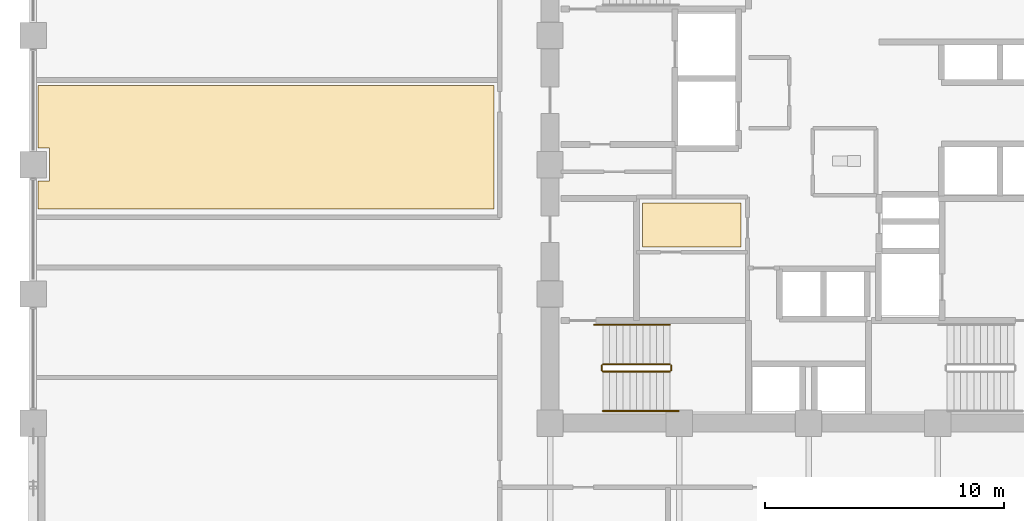
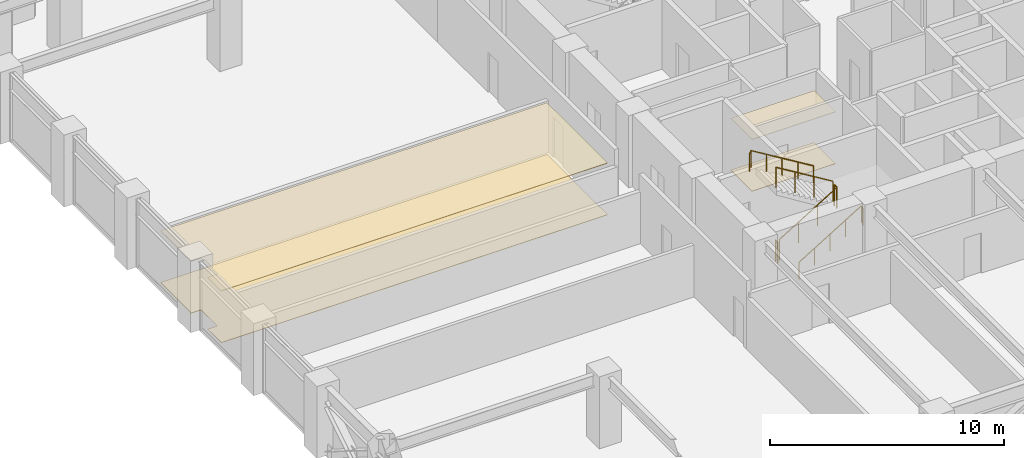
# One storey, part 23 of 25: 6 railings, 4 coverings.
"""IFC4 building model written with IfcOpenShell, lengths in metres."""

from ifc_helpers import new_model, si_unit, direction, frame, origin, origin_2d, place, context, subcontext, project, spatial, polyline, circle, outline, extrude, material, layer, layer_set, type_object, element, save


model = new_model("IFC4")

# Units and contexts
model_context = context("Model", 3, precision=1e-05, world=origin(), true_north=direction((0.0, 1.0)))
body_context = subcontext(model_context, "Body", "Model", "MODEL_VIEW")
ifc_project = project(units=[si_unit("LENGTHUNIT", "METRE"), si_unit("AREAUNIT", "SQUARE_METRE"), si_unit("VOLUMEUNIT", "CUBIC_METRE"), si_unit("PLANEANGLEUNIT", "RADIAN"), si_unit("MASSUNIT", "GRAM", prefix="KILO")], contexts=[model_context])

# Site, building, storey
site_placement = place(None, origin())
site = spatial("IfcSite", under=ifc_project, at=site_placement, CompositionType="ELEMENT")
building_placement = place(site_placement, origin())
building = spatial("IfcBuilding", under=site, at=building_placement, Name="Surkhivell Harbour Commons", CompositionType="ELEMENT")
storey_placement = place(building_placement, frame((0.0, 0.0, 117.0)))
storey = spatial("IfcBuildingStorey", under=building, at=storey_placement, Name="L30", CompositionType="ELEMENT", Elevation=117.0)

# Coverings
ifc_material_1 = material(Name="Perforated acoustic mineral-fibre ceiling tile", Category="other")
ifc_layer_1 = layer(ifc_material_1, 0.02490234375)
ifc_layer_set_1 = layer_set([ifc_layer_1], Name="Perforated acoustic mineral-fibre ceiling tile")
covering_type_1 = type_object("IfcCoveringType", Name="COV-CEIL-AC", PredefinedType="CEILING", material=ifc_layer_set_1)
covering_1_placement = place(storey_placement, frame((0.0, 0.0, 2.694091796875)))
element("IfcCovering", 1, at=covering_1_placement, inside=storey, type_object=covering_type_1, Name="L30 Suspended Acoustic Ceiling 1", PredefinedType="CEILING", context=body_context, shape_type="SweptSolid", body=[
    extrude(outline(polyline([(-6.929931640625, -3.429931640625), (-2.820068359375, -3.429931640625), (-2.820068359375, -1.60009765625), (-6.929931640625, -1.60009765625), (-6.929931640625, -3.429931640625)])), origin(), (0.0, 0.0, 1.0), 0.02490234375),
])
ifc_material_2 = material(Name="Moisture-resistant gypsum acoustic ceiling board", Category="other")
ifc_layer_2 = layer(ifc_material_2, 0.030029296875)
ifc_layer_set_2 = layer_set([ifc_layer_2], Name="Moisture-resistant gypsum acoustic ceiling board")
covering_type_2 = type_object("IfcCoveringType", Name="COV-CEIL-GYP", PredefinedType="CEILING", material=ifc_layer_set_2)
covering_2_placement = place(storey_placement, frame((0.0, 0.0, 2.68896484375)))
element("IfcCovering", 2, at=covering_2_placement, inside=storey, type_object=covering_type_2, Name="L30 Suspended Acoustic Ceiling 2", PredefinedType="CEILING", context=body_context, shape_type="SweptSolid", body=[
    extrude(outline(polyline([(-13.139892578125, -1.860107421875), (-13.139892578125, 3.320068359375), (-32.18994140625, 3.320068359375), (-32.18994140625, 0.68994140625), (-31.7099609375, 0.68994140625), (-31.7099609375, -0.68994140625), (-32.18994140625, -0.68994140625), (-32.18994140625, -1.860107421875), (-13.139892578125, -1.860107421875)])), origin(), (0.0, 0.0, 1.0), 0.030029296875),
])
ifc_material_3 = material(Name="Engineered acoustic oak timber flooring", Category="wood")
ifc_layer_3 = layer(ifc_material_3, 0.02001953125)
ifc_layer_set_3 = layer_set([ifc_layer_3], Name="Engineered acoustic oak timber flooring")
covering_type_3 = type_object("IfcCoveringType", Name="COV-FLR-TIM", PredefinedType="FLOORING", material=ifc_layer_set_3)
covering_3_placement = place(storey_placement, origin())
element("IfcCovering", 3, at=covering_3_placement, inside=storey, type_object=covering_type_3, Name="L30 Interior Floor Finish 1", PredefinedType="FLOORING", context=body_context, shape_type="SweptSolid", body=[
    extrude(outline(polyline([(-6.929931640625, -3.429931640625), (-2.820068359375, -3.429931640625), (-2.820068359375, -1.60009765625), (-6.929931640625, -1.60009765625), (-6.929931640625, -3.429931640625)])), origin(), (0.0, 0.0, 1.0), 0.02001953125),
])
covering_4_placement = place(storey_placement, origin())
element("IfcCovering", 4, at=covering_4_placement, inside=storey, type_object=covering_type_3, Name="L30 Interior Floor Finish 2", PredefinedType="FLOORING", context=body_context, shape_type="SweptSolid", body=[
    extrude(outline(polyline([(-13.139892578125, -1.860107421875), (-13.139892578125, 3.320068359375), (-32.18994140625, 3.320068359375), (-32.18994140625, 0.68994140625), (-31.7099609375, 0.68994140625), (-31.7099609375, -0.68994140625), (-32.18994140625, -0.68994140625), (-32.18994140625, -1.860107421875), (-13.139892578125, -1.860107421875)])), origin(), (0.0, 0.0, 1.0), 0.02001953125),
])

# Railings
ifc_material_4 = material(Name="Galvanised and painted steel S355 guard rail", Category="steel")
railing_type_1 = type_object("IfcRailingType", Name="RAL-ST-GRD1100", PredefinedType="GUARDRAIL", material=ifc_material_4)
railing_1_placement = place(storey_placement, frame((-8.590087890625, -8.639892578125, 0.17041015625)))
element("IfcRailing", 5, at=railing_1_placement, inside=storey, type_object=railing_type_1, Name="L30 ST3 stair guard 1", PredefinedType="GUARDRAIL", context=body_context, shape_type="SweptSolid", body=[
    extrude(circle(Radius=0.02392578125, at=origin_2d()), frame((0.0, 0.0, 1.076171875), z_axis=(0.854169791009, 0.0, 0.51999420009), x_axis=(0.0, 1.0, 0.0)), (0.0, 0.0, 1.0), 3.278076171875),
    extrude(circle(Radius=0.02099609375, at=origin_2d()), origin(), (0.0, 0.0, 1.0), 1.052001953125),
    extrude(circle(Radius=0.02099609375, at=origin_2d()), frame((0.933349609375, 0.0, 0.568115234375)), (0.0, 0.0, 1.0), 1.052001953125),
    extrude(circle(Radius=0.02099609375, at=origin_2d()), frame((1.86669921875, 0.0, 1.136474609375)), (0.0, 0.0, 1.0), 1.052001953125),
    extrude(circle(Radius=0.02099609375, at=origin_2d()), frame((2.800048828125, 0.0, 1.70458984375)), (0.0, 0.0, 1.0), 1.052001953125),
])
railing_2_placement = place(storey_placement, frame((-5.739990234375, -8.590087890625, 1.875)))
element("IfcRailing", 6, at=railing_2_placement, inside=storey, type_object=railing_type_1, Name="L30 ST3 stair guard 2", PredefinedType="GUARDRAIL", context=body_context, shape_type="SweptSolid", body=[
    extrude(circle(Radius=0.02392578125, at=origin_2d()), frame((0.0, 0.0, 1.076171875), z_axis=(0.0, 1.0, 0.0), x_axis=(-1.0, 0.0, 0.0)), (0.0, 0.0, 1.0), 0.2001953125),
    extrude(circle(Radius=0.02099609375, at=origin_2d()), origin(), (0.0, 0.0, 1.0), 1.052001953125),
    extrude(circle(Radius=0.02099609375, at=origin_2d()), frame((0.0, 0.2001953125, 0.0)), (0.0, 0.0, 1.0), 1.052001953125),
])
railing_3_placement = place(storey_placement, frame((-5.7900390625, -8.340087890625, 2.04541015625)))
element("IfcRailing", 7, at=railing_3_placement, inside=storey, type_object=railing_type_1, Name="L30 ST3 stair guard 3", PredefinedType="GUARDRAIL", context=body_context, shape_type="SweptSolid", body=[
    extrude(circle(Radius=0.02392578125, at=origin_2d()), frame((0.0, 0.0, 1.076171875), z_axis=(-0.854169791009, 0.0, 0.51999420009), x_axis=(0.0, -1.0, 0.0)), (0.0, 0.0, 1.0), 3.278076171875),
    extrude(circle(Radius=0.02099609375, at=origin_2d()), origin(), (0.0, 0.0, 1.0), 1.052001953125),
    extrude(circle(Radius=0.02099609375, at=origin_2d()), frame((-0.933349609375, 0.0, 0.568115234375)), (0.0, 0.0, 1.0), 1.052001953125),
    extrude(circle(Radius=0.02099609375, at=origin_2d()), frame((-1.86669921875, 0.0, 1.136474609375)), (0.0, 0.0, 1.0), 1.052001953125),
    extrude(circle(Radius=0.02099609375, at=origin_2d()), frame((-2.800048828125, 0.0, 1.70458984375)), (0.0, 0.0, 1.0), 1.052001953125),
])
railing_4_placement = place(storey_placement, frame((-8.639892578125, -8.590087890625, 0.0)))
element("IfcRailing", 8, at=railing_4_placement, inside=storey, type_object=railing_type_1, Name="L30 ST3 stair guard 4", PredefinedType="GUARDRAIL", context=body_context, shape_type="SweptSolid", body=[
    extrude(circle(Radius=0.02392578125, at=origin_2d()), frame((0.0, 0.0, 1.076171875), z_axis=(0.0, 1.0, 0.0), x_axis=(-1.0, 0.0, 0.0)), (0.0, 0.0, 1.0), 0.2001953125),
    extrude(circle(Radius=0.02099609375, at=origin_2d()), origin(), (0.0, 0.0, 1.0), 1.052001953125),
    extrude(circle(Radius=0.02099609375, at=origin_2d()), frame((0.0, 0.2001953125, 0.0)), (0.0, 0.0, 1.0), 1.052001953125),
])
ifc_material_5 = material(Name="Brushed stainless steel S355 handrail", Category="steel")
railing_type_2 = type_object("IfcRailingType", Name="RAL-ST-HND900", PredefinedType="HANDRAIL", material=ifc_material_5)
railing_5_placement = place(storey_placement, frame((-8.590087890625, -10.2900390625, 0.17041015625)))
element("IfcRailing", 9, at=railing_5_placement, inside=storey, type_object=railing_type_2, Name="L30 ST3 stair handrail 1", PredefinedType="HANDRAIL", context=body_context, shape_type="SweptSolid", body=[
    extrude(circle(Radius=0.02392578125, at=origin_2d()), frame((0.0, 0.0, 0.8759765625), z_axis=(0.854177636135, 0.0, 0.519981313056), x_axis=(0.0, 1.0, 0.0)), (0.0, 0.0, 1.0), 3.60595703125),
    extrude(circle(Radius=0.02392578125, at=origin_2d()), frame((3.080078125, 0.0, 2.7509765625), z_axis=(0.425297416671, 0.0, -0.905053648892), x_axis=(0.0, 1.0, 0.0)), (0.0, 0.0, 1.0), 0.188232421875),
    extrude(circle(Radius=0.02099609375, at=origin_2d()), origin(), (0.0, 0.0, 1.0), 0.851806640625),
    extrude(circle(Radius=0.02099609375, at=origin_2d()), frame((0.77001953125, 0.0, 0.46875)), (0.0, 0.0, 1.0), 0.851806640625),
    extrude(circle(Radius=0.02099609375, at=origin_2d()), frame((1.5400390625, 0.0, 0.9375)), (0.0, 0.0, 1.0), 0.851806640625),
    extrude(circle(Radius=0.02099609375, at=origin_2d()), frame((2.31005859375, 0.0, 1.40625)), (0.0, 0.0, 1.0), 0.851806640625),
    extrude(circle(Radius=0.02099609375, at=origin_2d()), frame((3.080078125, 0.0, 1.875)), (0.0, 0.0, 1.0), 0.851806640625),
    extrude(circle(Radius=0.02099609375, at=origin_2d()), frame((3.16015625, 0.0, 1.70458984375)), (0.0, 0.0, 1.0), 0.851806640625),
])
railing_6_placement = place(storey_placement, frame((-5.7900390625, -6.68994140625, 2.04541015625)))
element("IfcRailing", 10, at=railing_6_placement, inside=storey, type_object=railing_type_2, Name="L30 ST3 stair handrail 2", PredefinedType="HANDRAIL", context=body_context, shape_type="SweptSolid", body=[
    extrude(circle(Radius=0.02392578125, at=origin_2d()), frame((0.0, 0.0, 0.8759765625), z_axis=(-0.854177636135, 0.0, 0.519981313056), x_axis=(0.0, -1.0, 0.0)), (0.0, 0.0, 1.0), 3.60595703125),
    extrude(circle(Radius=0.02392578125, at=origin_2d()), frame((-3.080078125, 0.0, 2.7509765625), z_axis=(-0.424234432967, 0.0, -0.905552398199), x_axis=(0.0, -1.0, 0.0)), (0.0, 0.0, 1.0), 0.188232421875),
    extrude(circle(Radius=0.02099609375, at=origin_2d()), origin(), (0.0, 0.0, 1.0), 0.851806640625),
    extrude(circle(Radius=0.02099609375, at=origin_2d()), frame((-0.77001953125, 0.0, 0.46875)), (0.0, 0.0, 1.0), 0.851806640625),
    extrude(circle(Radius=0.02099609375, at=origin_2d()), frame((-1.5400390625, 0.0, 0.9375)), (0.0, 0.0, 1.0), 0.851806640625),
    extrude(circle(Radius=0.02099609375, at=origin_2d()), frame((-2.31005859375, 0.0, 1.40625)), (0.0, 0.0, 1.0), 0.851806640625),
    extrude(circle(Radius=0.02099609375, at=origin_2d()), frame((-3.080078125, 0.0, 1.875)), (0.0, 0.0, 1.0), 0.851806640625),
    extrude(circle(Radius=0.02099609375, at=origin_2d()), frame((-3.159912109375, 0.0, 1.70458984375)), (0.0, 0.0, 1.0), 0.851806640625),
])

save(model, "model.ifc")
